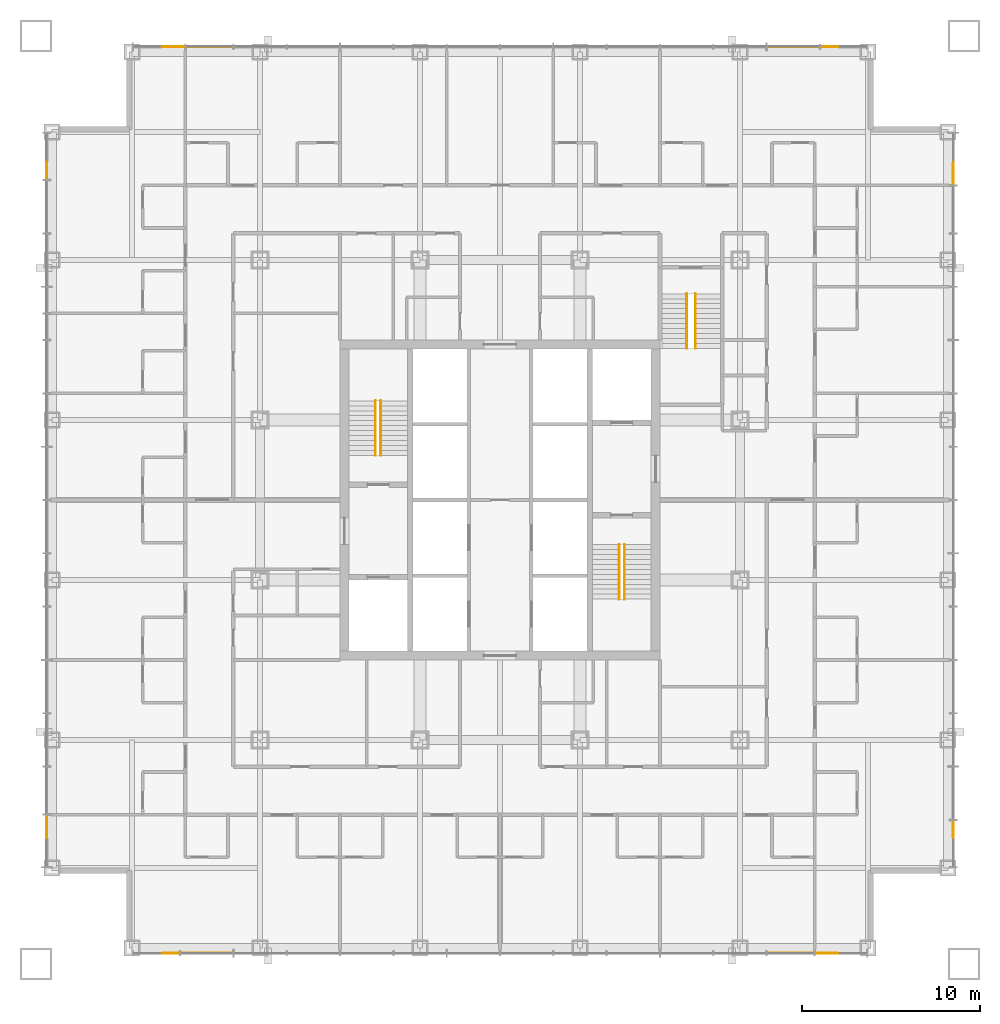
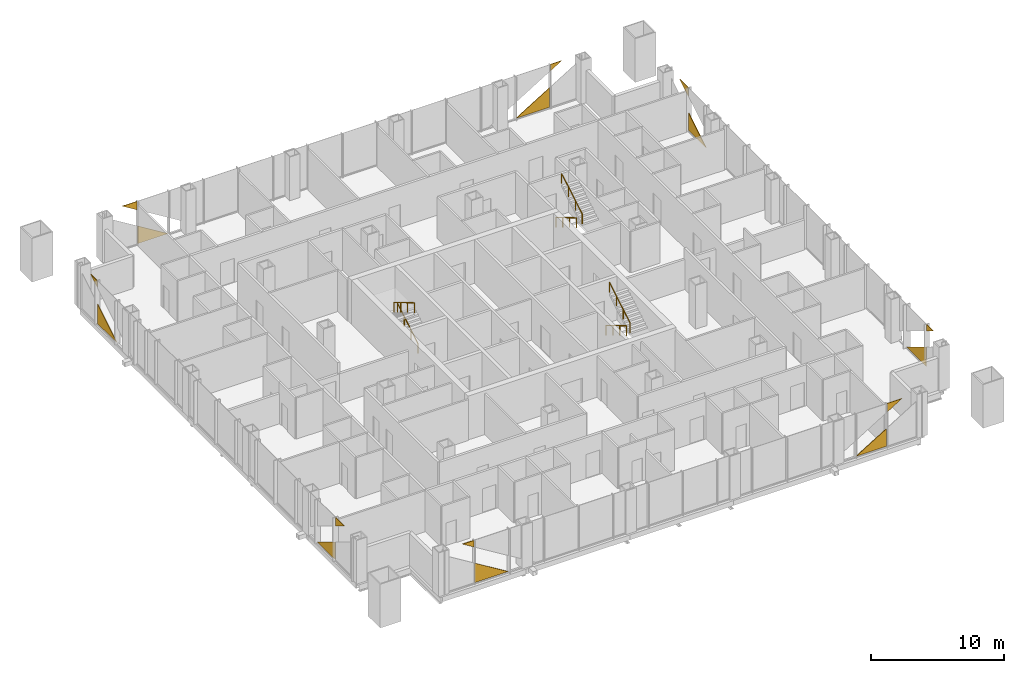
# One storey, part 13 of 13: 16 coverings, 6 railings.
"""IFC4 building model written with IfcOpenShell, lengths in metres."""

from ifc_helpers import new_model, si_unit, direction, frame, origin, origin_2d, place, context, subcontext, project, spatial, polyline, circle, outline, extrude, material, layer, layer_set, type_object, element, save


model = new_model("IFC4")

# Units and contexts
model_context = context("Model", 3, precision=1e-05, world=origin(), true_north=direction((0.0, 1.0)))
body_context = subcontext(model_context, "Body", "Model", "MODEL_VIEW")
ifc_project = project(units=[si_unit("LENGTHUNIT", "METRE"), si_unit("AREAUNIT", "SQUARE_METRE"), si_unit("VOLUMEUNIT", "CUBIC_METRE"), si_unit("PLANEANGLEUNIT", "RADIAN"), si_unit("MASSUNIT", "GRAM", prefix="KILO")], contexts=[model_context])

# Site, building, storey
site_placement = place(None, origin())
site = spatial("IfcSite", under=ifc_project, at=site_placement, CompositionType="ELEMENT")
building_placement = place(site_placement, origin())
building = spatial("IfcBuilding", under=site, at=building_placement, Name="Malebo Sky Hospital", CompositionType="ELEMENT")
storey_placement = place(building_placement, frame((0.0, 0.0, 87.0)))
storey = spatial("IfcBuildingStorey", under=building, at=storey_placement, Name="L20", CompositionType="ELEMENT", Elevation=87.0)

# Coverings
ifc_material_1 = material(Name="Anodised aluminium, natural silver insulated infill panel", Category="aluminium")
ifc_layer = layer(ifc_material_1, 0.0400390625)
ifc_layer_set = layer_set([ifc_layer], Name="BRACE INFILL PANEL 40")
covering_type = type_object("IfcCoveringType", Name="BRACE INFILL PANEL 40", PredefinedType="CLADDING", material=ifc_layer_set)
covering_1_placement = place(storey_placement, frame((41.624267578125, 87.5, 3.207275390625), z_axis=(0.0, 0.0, 1.0), x_axis=(1.0, 0.0, 0.0)))
element("IfcCovering", 1, at=covering_1_placement, inside=storey, type_object=covering_type, Name="Brace infill panel 1.1", PredefinedType="CLADDING", context=body_context, shape_type="SweptSolid", body=[
    extrude(outline(polyline([(0.638427734375, 0.0), (0.638427734375, 0.78271484375), (-0.638427734375, 0.78271484375), (0.638427734375, 0.0)])), frame((0.0, 0.02001953125, 0.0), z_axis=(0.0, -1.0, 0.0), x_axis=(1.0, 0.0, 0.0)), (0.0, 0.0, 1.0), 0.0400390625),
])
covering_2_placement = place(storey_placement, frame((43.6376953125, 87.5, 0.10009765625), z_axis=(0.0, 0.0, 1.0), x_axis=(1.0, 0.0, 0.0)))
element("IfcCovering", 2, at=covering_2_placement, inside=storey, type_object=covering_type, Name="Brace infill panel 2.1", PredefinedType="CLADDING", context=body_context, shape_type="SweptSolid", body=[
    extrude(outline(polyline([(-1.300048828125, 0.0), (1.300048828125, 0.0), (-1.300048828125, 1.593994140625), (-1.300048828125, 0.0)])), frame((0.0, 0.02001953125, 0.0), z_axis=(0.0, -1.0, 0.0), x_axis=(1.0, 0.0, 0.0)), (0.0, 0.0, 1.0), 0.0400390625),
])
covering_3_placement = place(storey_placement, frame((76.512451171875, 87.5, 0.10009765625), z_axis=(0.0, 0.0, 1.0), x_axis=(1.0, 0.0, 0.0)))
element("IfcCovering", 3, at=covering_3_placement, inside=storey, type_object=covering_type, Name="Brace infill panel 13.1", PredefinedType="CLADDING", context=body_context, shape_type="SweptSolid", body=[
    extrude(outline(polyline([(-1.4501953125, 0.0), (1.4501953125, 0.0), (1.4501953125, 1.77783203125), (-1.4501953125, 0.0)])), frame((0.0, 0.02001953125, 0.0), z_axis=(0.0, -1.0, 0.0), x_axis=(1.0, 0.0, 0.0)), (0.0, 0.0, 1.0), 0.0400390625),
])
covering_4_placement = place(storey_placement, frame((78.52587890625, 87.5, 3.39111328125), z_axis=(0.0, 0.0, 1.0), x_axis=(1.0, 0.0, 0.0)))
element("IfcCovering", 4, at=covering_4_placement, inside=storey, type_object=covering_type, Name="Brace infill panel 14.1", PredefinedType="CLADDING", context=body_context, shape_type="SweptSolid", body=[
    extrude(outline(polyline([(-0.48828125, 0.0), (0.48828125, 0.598876953125), (-0.48828125, 0.598876953125), (-0.48828125, 0.0)])), frame((0.0, 0.02001953125, 0.0), z_axis=(0.0, -1.0, 0.0), x_axis=(1.0, 0.0, 0.0)), (0.0, 0.0, 1.0), 0.0400390625),
])
covering_5_placement = place(storey_placement, frame((34.5, 43.624267578125, 3.207275390625), z_axis=(0.0, 0.0, 1.0), x_axis=(0.0, 1.0, 0.0)))
element("IfcCovering", 5, at=covering_5_placement, inside=storey, type_object=covering_type, Name="Brace infill panel 1.1", PredefinedType="CLADDING", context=body_context, shape_type="SweptSolid", body=[
    extrude(outline(polyline([(0.638427734375, 0.0), (0.638427734375, 0.78271484375), (-0.638427734375, 0.78271484375), (0.638427734375, 0.0)])), frame((0.0, 0.02001953125, 0.0), z_axis=(0.0, -1.0, 0.0), x_axis=(1.0, 0.0, 0.0)), (0.0, 0.0, 1.0), 0.0400390625),
])
covering_6_placement = place(storey_placement, frame((34.5, 45.6376953125, 0.10009765625), z_axis=(0.0, 0.0, 1.0), x_axis=(0.0, 1.0, 0.0)))
element("IfcCovering", 6, at=covering_6_placement, inside=storey, type_object=covering_type, Name="Brace infill panel 2.1", PredefinedType="CLADDING", context=body_context, shape_type="SweptSolid", body=[
    extrude(outline(polyline([(-1.300048828125, 0.0), (1.300048828125, 0.0), (-1.300048828125, 1.593994140625), (-1.300048828125, 0.0)])), frame((0.0, 0.02001953125, 0.0), z_axis=(0.0, -1.0, 0.0), x_axis=(1.0, 0.0, 0.0)), (0.0, 0.0, 1.0), 0.0400390625),
])
covering_7_placement = place(storey_placement, frame((34.5, 78.512451171875, 0.10009765625), z_axis=(0.0, 0.0, 1.0), x_axis=(0.0, 1.0, 0.0)))
element("IfcCovering", 7, at=covering_7_placement, inside=storey, type_object=covering_type, Name="Brace infill panel 14.1", PredefinedType="CLADDING", context=body_context, shape_type="SweptSolid", body=[
    extrude(outline(polyline([(-1.4501953125, 0.0), (1.4501953125, 0.0), (1.4501953125, 1.77783203125), (-1.4501953125, 0.0)])), frame((0.0, 0.02001953125, 0.0), z_axis=(0.0, -1.0, 0.0), x_axis=(1.0, 0.0, 0.0)), (0.0, 0.0, 1.0), 0.0400390625),
])
covering_8_placement = place(storey_placement, frame((34.5, 80.52587890625, 3.39111328125), z_axis=(0.0, 0.0, 1.0), x_axis=(0.0, 1.0, 0.0)))
element("IfcCovering", 8, at=covering_8_placement, inside=storey, type_object=covering_type, Name="Brace infill panel 15.1", PredefinedType="CLADDING", context=body_context, shape_type="SweptSolid", body=[
    extrude(outline(polyline([(-0.48828125, 0.0), (0.48828125, 0.598876953125), (-0.48828125, 0.598876953125), (-0.48828125, 0.0)])), frame((0.0, 0.02001953125, 0.0), z_axis=(0.0, -1.0, 0.0), x_axis=(1.0, 0.0, 0.0)), (0.0, 0.0, 1.0), 0.0400390625),
])
covering_9_placement = place(storey_placement, frame((78.375732421875, 36.5, 3.207275390625), z_axis=(0.0, 0.0, 1.0), x_axis=(-1.0, 0.0, 0.0)))
element("IfcCovering", 9, at=covering_9_placement, inside=storey, type_object=covering_type, Name="Brace infill panel 1.1", PredefinedType="CLADDING", context=body_context, shape_type="SweptSolid", body=[
    extrude(outline(polyline([(0.638427734375, 0.0), (0.638427734375, 0.78271484375), (-0.638427734375, 0.78271484375), (0.638427734375, 0.0)])), frame((0.0, 0.02001953125, 0.0), z_axis=(0.0, -1.0, 0.0), x_axis=(1.0, 0.0, 0.0)), (0.0, 0.0, 1.0), 0.0400390625),
])
covering_10_placement = place(storey_placement, frame((76.3623046875, 36.5, 0.10009765625), z_axis=(0.0, 0.0, 1.0), x_axis=(-1.0, 0.0, 0.0)))
element("IfcCovering", 10, at=covering_10_placement, inside=storey, type_object=covering_type, Name="Brace infill panel 2.1", PredefinedType="CLADDING", context=body_context, shape_type="SweptSolid", body=[
    extrude(outline(polyline([(-1.300048828125, 0.0), (1.300048828125, 0.0), (-1.300048828125, 1.593994140625), (-1.300048828125, 0.0)])), frame((0.0, 0.02001953125, 0.0), z_axis=(0.0, -1.0, 0.0), x_axis=(1.0, 0.0, 0.0)), (0.0, 0.0, 1.0), 0.0400390625),
])
covering_11_placement = place(storey_placement, frame((43.487548828125, 36.5, 0.10009765625), z_axis=(0.0, 0.0, 1.0), x_axis=(-1.0, 0.0, 0.0)))
element("IfcCovering", 11, at=covering_11_placement, inside=storey, type_object=covering_type, Name="Brace infill panel 13.1", PredefinedType="CLADDING", context=body_context, shape_type="SweptSolid", body=[
    extrude(outline(polyline([(-1.4501953125, 0.0), (1.4501953125, 0.0), (1.4501953125, 1.77783203125), (-1.4501953125, 0.0)])), frame((0.0, 0.02001953125, 0.0), z_axis=(0.0, -1.0, 0.0), x_axis=(1.0, 0.0, 0.0)), (0.0, 0.0, 1.0), 0.0400390625),
])
covering_12_placement = place(storey_placement, frame((41.47412109375, 36.5, 3.39111328125), z_axis=(0.0, 0.0, 1.0), x_axis=(-1.0, 0.0, 0.0)))
element("IfcCovering", 12, at=covering_12_placement, inside=storey, type_object=covering_type, Name="Brace infill panel 14.1", PredefinedType="CLADDING", context=body_context, shape_type="SweptSolid", body=[
    extrude(outline(polyline([(-0.48828125, 0.0), (0.48828125, 0.598876953125), (-0.48828125, 0.598876953125), (-0.48828125, 0.0)])), frame((0.0, 0.02001953125, 0.0), z_axis=(0.0, -1.0, 0.0), x_axis=(1.0, 0.0, 0.0)), (0.0, 0.0, 1.0), 0.0400390625),
])
covering_13_placement = place(storey_placement, frame((85.5, 80.375732421875, 3.207275390625), z_axis=(0.0, 0.0, 1.0), x_axis=(0.0, -1.0, 0.0)))
element("IfcCovering", 13, at=covering_13_placement, inside=storey, type_object=covering_type, Name="Brace infill panel 1.1", PredefinedType="CLADDING", context=body_context, shape_type="SweptSolid", body=[
    extrude(outline(polyline([(0.638427734375, 0.0), (0.638427734375, 0.78271484375), (-0.638427734375, 0.78271484375), (0.638427734375, 0.0)])), frame((0.0, 0.02001953125, 0.0), z_axis=(0.0, -1.0, 0.0), x_axis=(1.0, 0.0, 0.0)), (0.0, 0.0, 1.0), 0.0400390625),
])
covering_14_placement = place(storey_placement, frame((85.5, 78.3623046875, 0.10009765625), z_axis=(0.0, 0.0, 1.0), x_axis=(0.0, -1.0, 0.0)))
element("IfcCovering", 14, at=covering_14_placement, inside=storey, type_object=covering_type, Name="Brace infill panel 2.1", PredefinedType="CLADDING", context=body_context, shape_type="SweptSolid", body=[
    extrude(outline(polyline([(-1.300048828125, 0.0), (1.300048828125, 0.0), (-1.300048828125, 1.593994140625), (-1.300048828125, 0.0)])), frame((0.0, 0.02001953125, 0.0), z_axis=(0.0, -1.0, 0.0), x_axis=(1.0, 0.0, 0.0)), (0.0, 0.0, 1.0), 0.0400390625),
])
covering_15_placement = place(storey_placement, frame((85.5, 45.487548828125, 0.10009765625), z_axis=(0.0, 0.0, 1.0), x_axis=(0.0, -1.0, 0.0)))
element("IfcCovering", 15, at=covering_15_placement, inside=storey, type_object=covering_type, Name="Brace infill panel 13.1", PredefinedType="CLADDING", context=body_context, shape_type="SweptSolid", body=[
    extrude(outline(polyline([(-1.4501953125, 0.0), (1.4501953125, 0.0), (1.4501953125, 1.77783203125), (-1.4501953125, 0.0)])), frame((0.0, 0.02001953125, 0.0), z_axis=(0.0, -1.0, 0.0), x_axis=(1.0, 0.0, 0.0)), (0.0, 0.0, 1.0), 0.0400390625),
])
covering_16_placement = place(storey_placement, frame((85.5, 43.47412109375, 3.39111328125), z_axis=(0.0, 0.0, 1.0), x_axis=(0.0, -1.0, 0.0)))
element("IfcCovering", 16, at=covering_16_placement, inside=storey, type_object=covering_type, Name="Brace infill panel 14.1", PredefinedType="CLADDING", context=body_context, shape_type="SweptSolid", body=[
    extrude(outline(polyline([(-0.48828125, 0.0), (0.48828125, 0.598876953125), (-0.48828125, 0.598876953125), (-0.48828125, 0.0)])), frame((0.0, 0.02001953125, 0.0), z_axis=(0.0, -1.0, 0.0), x_axis=(1.0, 0.0, 0.0)), (0.0, 0.0, 1.0), 0.0400390625),
])

# Railings
ifc_material_2 = material(Name="Stainless steel tube", Category="steel")
railing_type = type_object("IfcRailingType", Name="STAIR HANDRAIL 900", PredefinedType="HANDRAIL", material=ifc_material_2)
railing_1_placement = place(storey_placement, frame((53.300048828125, 64.5, 0.166748046875)))
element("IfcRailing", 17, at=railing_1_placement, inside=storey, type_object=railing_type, Name="Stair handrail S1 flight 1", PredefinedType="HANDRAIL", context=body_context, shape_type="SweptSolid", body=[
    extrude(circle(Radius=0.02392578125, at=origin_2d()), frame((0.0, 0.0, 0.8759765625), z_axis=(0.0, 0.859308565015, 0.511457515432), x_axis=(-1.0, 0.0, 0.0)), (0.0, 0.0, 1.0), 3.58447265625),
    extrude(circle(Radius=0.02099609375, at=origin_2d()), origin(), (0.0, 0.0, 1.0), 0.851806640625),
    extrude(circle(Radius=0.02099609375, at=origin_2d()), frame((0.0, 1.026611328125, 0.611083984375)), (0.0, 0.0, 1.0), 0.851806640625),
    extrude(circle(Radius=0.02099609375, at=origin_2d()), frame((0.0, 2.053466796875, 1.22216796875)), (0.0, 0.0, 1.0), 0.851806640625),
    extrude(circle(Radius=0.02099609375, at=origin_2d()), frame((0.0, 3.080078125, 1.833251953125)), (0.0, 0.0, 1.0), 0.851806640625),
])
for number, where, name in (
    (18, (53.0, 67.580078125, 2.166748046875), "Stair handrail S1 flight 2"),
    (19, (66.699951171875, 59.5, 0.166748046875), "Stair handrail S2 flight 1"),
):
    element("IfcRailing", number, at=place(storey_placement, frame(where)), inside=storey, type_object=railing_type, Name=name, PredefinedType="HANDRAIL", context=body_context, shape_type="SweptSolid", body=[
        extrude(circle(Radius=0.02392578125, at=origin_2d()), frame((0.0, 0.0, 0.8759765625), z_axis=(0.0, -0.859308565015, 0.511457515432), x_axis=(1.0, 0.0, 0.0)), (0.0, 0.0, 1.0), 3.58447265625),
        extrude(circle(Radius=0.02099609375, at=origin_2d()), origin(), (0.0, 0.0, 1.0), 0.851806640625),
        extrude(circle(Radius=0.02099609375, at=origin_2d()), frame((0.0, -1.026611328125, 0.611083984375)), (0.0, 0.0, 1.0), 0.851806640625),
        extrude(circle(Radius=0.02099609375, at=origin_2d()), frame((0.0, -2.053466796875, 1.22216796875)), (0.0, 0.0, 1.0), 0.851806640625),
        extrude(circle(Radius=0.02099609375, at=origin_2d()), frame((0.0, -3.080078125, 1.833251953125)), (0.0, 0.0, 1.0), 0.851806640625),
    ])
railing_2_placement = place(storey_placement, frame((67.0, 56.419921875, 2.166748046875)))
element("IfcRailing", 20, at=railing_2_placement, inside=storey, type_object=railing_type, Name="Stair handrail S2 flight 2", PredefinedType="HANDRAIL", context=body_context, shape_type="SweptSolid", body=[
    extrude(circle(Radius=0.02392578125, at=origin_2d()), frame((0.0, 0.0, 0.8759765625), z_axis=(0.0, 0.859308565015, 0.511457515432), x_axis=(-1.0, 0.0, 0.0)), (0.0, 0.0, 1.0), 3.58447265625),
    extrude(circle(Radius=0.02099609375, at=origin_2d()), origin(), (0.0, 0.0, 1.0), 0.851806640625),
    extrude(circle(Radius=0.02099609375, at=origin_2d()), frame((0.0, 1.026611328125, 0.611083984375)), (0.0, 0.0, 1.0), 0.851806640625),
    extrude(circle(Radius=0.02099609375, at=origin_2d()), frame((0.0, 2.053466796875, 1.22216796875)), (0.0, 0.0, 1.0), 0.851806640625),
    extrude(circle(Radius=0.02099609375, at=origin_2d()), frame((0.0, 3.080078125, 1.833251953125)), (0.0, 0.0, 1.0), 0.851806640625),
])
railing_3_placement = place(storey_placement, frame((70.5, 73.60009765625, 0.166748046875)))
element("IfcRailing", 21, at=railing_3_placement, inside=storey, type_object=railing_type, Name="Stair handrail S3 flight 1", PredefinedType="HANDRAIL", context=body_context, shape_type="SweptSolid", body=[
    extrude(circle(Radius=0.02392578125, at=origin_2d()), frame((0.0, 0.0, 0.8759765625), z_axis=(0.0, -0.859308565015, 0.511457515432), x_axis=(1.0, 0.0, 0.0)), (0.0, 0.0, 1.0), 3.58447265625),
    extrude(circle(Radius=0.02099609375, at=origin_2d()), origin(), (0.0, 0.0, 1.0), 0.851806640625),
    extrude(circle(Radius=0.02099609375, at=origin_2d()), frame((0.0, -1.026611328125, 0.611083984375)), (0.0, 0.0, 1.0), 0.851806640625),
    extrude(circle(Radius=0.02099609375, at=origin_2d()), frame((0.0, -2.053466796875, 1.22216796875)), (0.0, 0.0, 1.0), 0.851806640625),
    extrude(circle(Radius=0.02099609375, at=origin_2d()), frame((0.0, -3.080078125, 1.833251953125)), (0.0, 0.0, 1.0), 0.851806640625),
])
railing_4_placement = place(storey_placement, frame((71.0, 70.52001953125, 2.166748046875)))
element("IfcRailing", 22, at=railing_4_placement, inside=storey, type_object=railing_type, Name="Stair handrail S3 flight 2", PredefinedType="HANDRAIL", context=body_context, shape_type="SweptSolid", body=[
    extrude(circle(Radius=0.02392578125, at=origin_2d()), frame((0.0, 0.0, 0.8759765625), z_axis=(0.0, 0.859308565015, 0.511457515432), x_axis=(-1.0, 0.0, 0.0)), (0.0, 0.0, 1.0), 3.58447265625),
    extrude(circle(Radius=0.02099609375, at=origin_2d()), origin(), (0.0, 0.0, 1.0), 0.851806640625),
    extrude(circle(Radius=0.02099609375, at=origin_2d()), frame((0.0, 1.026611328125, 0.611083984375)), (0.0, 0.0, 1.0), 0.851806640625),
    extrude(circle(Radius=0.02099609375, at=origin_2d()), frame((0.0, 2.053466796875, 1.22216796875)), (0.0, 0.0, 1.0), 0.851806640625),
    extrude(circle(Radius=0.02099609375, at=origin_2d()), frame((0.0, 3.080078125, 1.833251953125)), (0.0, 0.0, 1.0), 0.851806640625),
])

save(model, "model.ifc")
